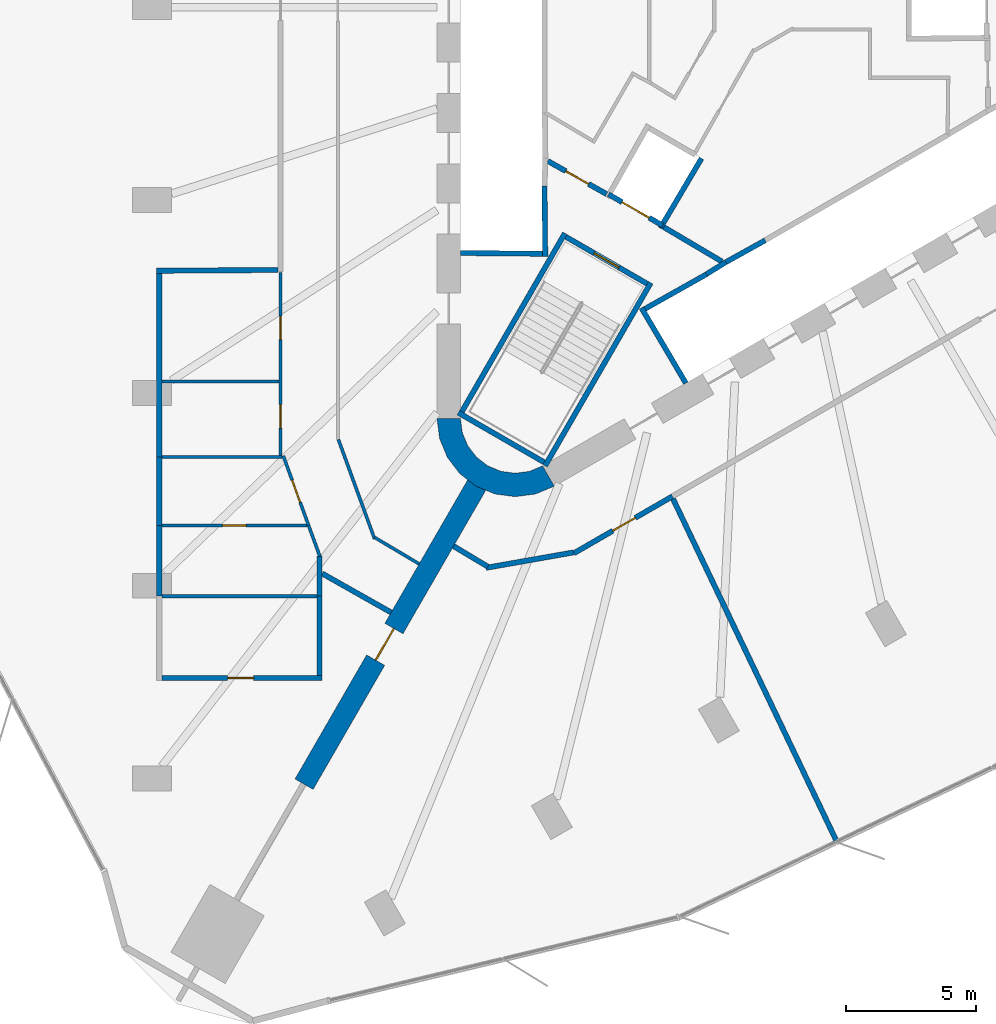
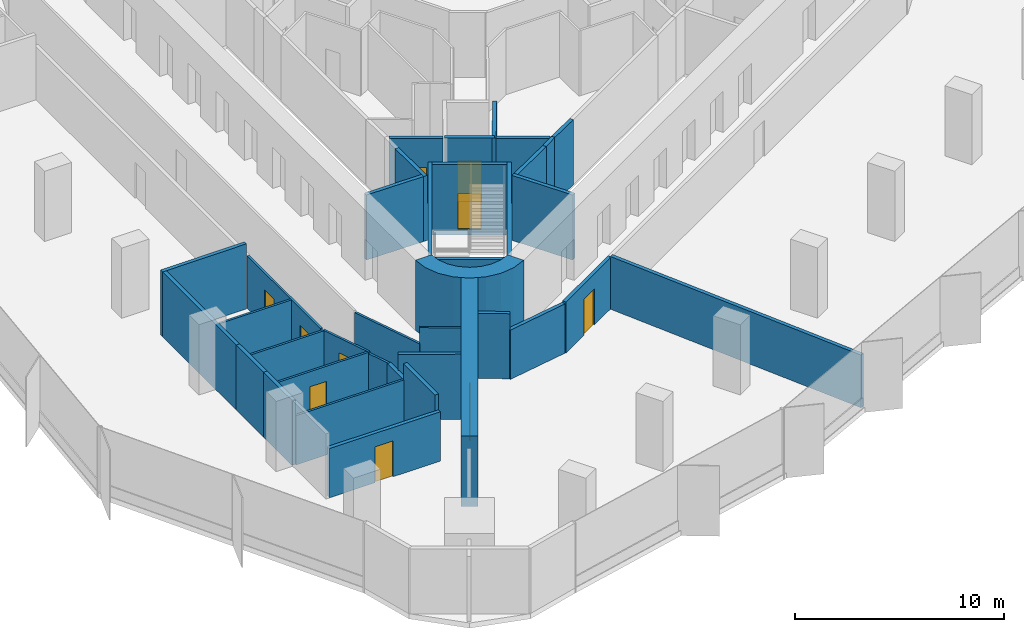
# One storey, part 9 of 15: 37 walls, 10 doors, 10 openings.
"""IFC4 building model written with IfcOpenShell, lengths in metres."""

import ifcopenshell
import ifcopenshell.guid

model = None  # the IFC model being written
_history = None  # IfcOwnerHistory: only IFC2X3 demands one
_inside = {}  # id of a spatial element -> (the spatial element, [elements in it])
_under = {}  # id of a project, library or spatial element -> (it, [spatial elements below it])
_declared = {}  # id of a project -> (the project, [libraries it declares])
_typed = {}  # id of a type object -> (the type object, [elements of that type])
_made_of = {}  # id of a material, layer set ... -> (it, [elements and type objects made of it])


def new_model(schema):
    """Start an empty IFC model of exactly this schema.

    Asked for "IFC4X3", IfcOpenShell would pick the latest addendum, in which some entities
    have other attributes; the version numbers below select the first issue.
    IFC2X3 requires an IfcOwnerHistory on every rooted entity: one is made here for all.
    """
    global model, _history
    if schema == "IFC4X3":
        model = ifcopenshell.file(schema_version=(4, 3, 0, 0))
    else:
        model = ifcopenshell.file(schema=schema)
    _inside.clear()
    _under.clear()
    _declared.clear()
    _typed.clear()
    _made_of.clear()
    _history = None
    if model.schema == "IFC2X3":
        org = make("IfcOrganization", Name="unknown")
        user = make(
            "IfcPersonAndOrganization",
            ThePerson=make("IfcPerson", FamilyName="unknown"),
            TheOrganization=org,
        )
        app = make(
            "IfcApplication",
            ApplicationDeveloper=org,
            Version="unknown",
            ApplicationFullName="unknown",
            ApplicationIdentifier="unknown",
        )
        _history = make(
            "IfcOwnerHistory",
            OwningUser=user,
            OwningApplication=app,
            ChangeAction="ADDED",
            CreationDate=0,
        )
    return model


def make(cls, **values):
    """One entity of the class cls with the attributes given. An attribute that is None is left unset."""
    return model.create_entity(
        cls, **{name: value for name, value in values.items() if value is not None}
    )


def rooted(cls, **values):
    """An entity with a GlobalId (a new one), such as an element, a storey or a relation."""
    return make(cls, GlobalId=ifcopenshell.guid.new(), OwnerHistory=_history, **values)


def si_unit(unit_type, name, prefix=None):
    """IfcSIUnit, for example si_unit("LENGTHUNIT", "METRE", prefix="MILLI")."""
    return make("IfcSIUnit", UnitType=unit_type, Prefix=prefix, Name=name)


def assignment(units):
    """IfcUnitAssignment: the units of a project."""
    return None if units is None else make("IfcUnitAssignment", Units=units)


def point(xyz):
    """IfcCartesianPoint."""
    return None if xyz is None else make("IfcCartesianPoint", Coordinates=xyz)


def direction(xyz):
    """IfcDirection."""
    return None if xyz is None else make("IfcDirection", DirectionRatios=xyz)


def frame(location, z_axis=None, x_axis=None):
    """IfcAxis2Placement3D, a coordinate frame: its origin and axes. An axis left out is left unset."""
    return make(
        "IfcAxis2Placement3D",
        Location=point(location),
        Axis=direction(z_axis),
        RefDirection=direction(x_axis),
    )


def frame_2d(location, x_axis=None):
    """IfcAxis2Placement2D, a coordinate frame in the plane: its origin and x axis."""
    return make(
        "IfcAxis2Placement2D", Location=point(location), RefDirection=direction(x_axis)
    )


def origin():
    """The frame at (0, 0, 0) with its axes left unset."""
    return frame((0.0, 0.0, 0.0))


def place(relative_to, where):
    """IfcLocalPlacement: puts the frame where relative to a parent placement (None: the world)."""
    return make(
        "IfcLocalPlacement", PlacementRelTo=relative_to, RelativePlacement=where
    )


def context(
    kind, dimensions, precision=None, world=None, true_north=None, identifier=None
):
    """IfcGeometricRepresentationContext, for example the 3D "Model" context."""
    return make(
        "IfcGeometricRepresentationContext",
        ContextIdentifier=identifier,
        ContextType=kind,
        CoordinateSpaceDimension=dimensions,
        Precision=precision,
        WorldCoordinateSystem=world,
        TrueNorth=true_north,
    )


def subcontext(parent, identifier, kind, view, scale=None):
    """IfcGeometricRepresentationSubContext, for example "Body" below "Model"."""
    return make(
        "IfcGeometricRepresentationSubContext",
        ContextIdentifier=identifier,
        ContextType=kind,
        ParentContext=parent,
        TargetScale=scale,
        TargetView=view,
    )


def project(units=None, contexts=None):
    """IfcProject with its units and contexts."""
    return rooted(
        "IfcProject",
        Name="project",
        RepresentationContexts=contexts,
        UnitsInContext=assignment(units),
    )


def spatial(cls, under=None, at=None, **own):
    """A site, building, storey or space (cls), placed at a placement, below another one or the project."""
    s = rooted(cls, ObjectPlacement=at, **own)
    if under is not None:
        _under.setdefault(under.id(), (under, []))[1].append(s)
    return s


def polyline(points):
    """IfcPolyline through the points."""
    return make("IfcPolyline", Points=[point(p) for p in points])


def profile(cls, at=None, kind="AREA", **sizes):
    """A parametric profile (cls). Its sizes go by their IFC names, for example OverallWidth=200.0."""
    return make(cls, ProfileType=kind, Position=at, **sizes)


def rectangle(**sizes):
    """IfcRectangleProfileDef."""
    return profile("IfcRectangleProfileDef", **sizes)


def outline(outer, holes=None, kind="AREA"):
    """IfcArbitraryClosedProfileDef: a profile drawn as a closed curve; with holes, ...WithVoids."""
    if holes is None:
        return make("IfcArbitraryClosedProfileDef", ProfileType=kind, OuterCurve=outer)
    return make(
        "IfcArbitraryProfileDefWithVoids",
        ProfileType=kind,
        OuterCurve=outer,
        InnerCurves=holes,
    )


def extrude(swept, where, along, depth):
    """IfcExtrudedAreaSolid: the profile swept, set in the frame where, extruded along a direction by depth."""
    return make(
        "IfcExtrudedAreaSolid",
        SweptArea=swept,
        Position=where,
        ExtrudedDirection=direction(along),
        Depth=depth,
    )


def shape(context_of_items, identifier, shape_type, items):
    """IfcShapeRepresentation: the items that make up one representation, for example the "Body"."""
    return make(
        "IfcShapeRepresentation",
        ContextOfItems=context_of_items,
        RepresentationIdentifier=identifier,
        RepresentationType=shape_type,
        Items=items,
    )


def material(Name=None, Category=None):
    """IfcMaterial."""
    return make("IfcMaterial", Name=Name, Category=Category)


def layer(
    of_material, thickness, ventilated=None, Name=None, Category=None, Priority=None
):
    """IfcMaterialLayer: one layer of a wall or slab, of a material (None: an air gap)."""
    return make(
        "IfcMaterialLayer",
        Material=of_material,
        LayerThickness=thickness,
        IsVentilated=ventilated,
        Name=Name,
        Category=Category,
        Priority=Priority,
    )


def layer_set(layers, Name=None):
    """IfcMaterialLayerSet."""
    return make("IfcMaterialLayerSet", MaterialLayers=layers, LayerSetName=Name)


def made_of(thing, what):
    """Note that an element or type object is made of a material, layer set ...; save() writes the relation."""
    if what is not None:
        _made_of.setdefault(what.id(), (what, []))[1].append(thing)
    return thing


def type_object(cls, material=None, **own):
    """A type object (cls), such as IfcWallType, which elements share."""
    return made_of(rooted(cls, **own), material)


def element(
    cls,
    number,
    at=None,
    inside=None,
    cuts=None,
    type_object=None,
    material=None,
    context=None,
    identifier="Body",
    shape_type=None,
    held_by="IfcProductDefinitionShape",
    body=None,
    shapes=None,
    **own,
):
    """One element of the class cls, such as IfcWall. Its Tag is "e" and its number.

    at: its placement. inside: the storey or other place that contains it. cuts: it is an
    opening in that element (IfcRelVoidsElement). A single representation is given by context,
    identifier, shape_type and body (its items); several are given by shapes. held_by: the class
    of the entity that holds the representations. save() writes the other relations.
    """
    e = rooted(cls, Tag="e%d" % number, ObjectPlacement=at, **own)
    if body is not None:
        shapes = [shape(context, identifier, shape_type, body)]
    if shapes is not None:
        e.Representation = make(held_by, Representations=shapes)
    if inside is not None:
        _inside.setdefault(inside.id(), (inside, []))[1].append(e)
    if cuts is not None:
        rooted(
            "IfcRelVoidsElement", RelatingBuildingElement=cuts, RelatedOpeningElement=e
        )
    if type_object is not None:
        _typed.setdefault(type_object.id(), (type_object, []))[1].append(e)
    return made_of(e, material)


def fill(opening, filler):
    """IfcRelFillsElement: the door or window that sits in an opening."""
    return rooted(
        "IfcRelFillsElement",
        RelatingOpeningElement=opening,
        RelatedBuildingElement=filler,
    )


def aggregate(whole, parts):
    """IfcRelAggregates: a whole, such as a stair, and the parts it consists of."""
    return rooted("IfcRelAggregates", RelatingObject=whole, RelatedObjects=parts)


def save(model, path):
    """Write the relations noted so far, then the file.

    IfcRelAggregates (storeys below a building ...), IfcRelContainedInSpatialStructure (elements
    in a storey), IfcRelDefinesByType, IfcRelAssociatesMaterial and IfcRelDeclares: one each for
    every whole, place, type object, material and project.
    """
    for whole, parts in _under.values():
        aggregate(whole, parts)
    for where, things in _inside.values():
        rooted(
            "IfcRelContainedInSpatialStructure",
            RelatedElements=things,
            RelatingStructure=where,
        )
    for kind, things in _typed.values():
        rooted("IfcRelDefinesByType", RelatedObjects=things, RelatingType=kind)
    for what, things in _made_of.values():
        rooted("IfcRelAssociatesMaterial", RelatedObjects=things, RelatingMaterial=what)
    for by, libraries in _declared.values():
        rooted("IfcRelDeclares", RelatingContext=by, RelatedDefinitions=libraries)
    model.write(path)


model = new_model("IFC4")

# Units and contexts
model_context = context("Model", 3, precision=1e-05, world=origin(), true_north=direction((0.0, 1.0)))
body_context = subcontext(model_context, "Body", "Model", "MODEL_VIEW")
ifc_project = project(units=[si_unit("LENGTHUNIT", "METRE"), si_unit("AREAUNIT", "SQUARE_METRE"), si_unit("VOLUMEUNIT", "CUBIC_METRE"), si_unit("PLANEANGLEUNIT", "RADIAN"), si_unit("MASSUNIT", "GRAM", prefix="KILO")], contexts=[model_context])

# Site, building, storey
site_placement = place(None, origin())
site = spatial("IfcSite", under=ifc_project, at=site_placement, CompositionType="ELEMENT")
building_placement = place(site_placement, origin())
building = spatial("IfcBuilding", under=site, at=building_placement, Name="Tanit Gate Tower", CompositionType="ELEMENT")
storey_placement = place(building_placement, frame((0.0, 0.0, 102.89990234375)))
storey = spatial("IfcBuildingStorey", under=building, at=storey_placement, Name="L21", CompositionType="ELEMENT", Elevation=102.89990234375)

# Wall, opening, door
ifc_material_1 = material(Name="Concrete C60/75", Category="concrete")
ifc_layer_1 = layer(ifc_material_1, 0.800048828125)
ifc_layer_set_1 = layer_set([ifc_layer_1], Name="BUTTRESS FIN 800 C60/75")
wall_type_1 = type_object("IfcWallType", Name="BUTTRESS FIN 800 C60/75", PredefinedType="SHEAR", material=ifc_layer_set_1)
wall_1_placement = place(storey_placement, frame((-10.574951171875, -18.31640625, 0.0), z_axis=(0.0, 0.0, 1.0), x_axis=(-0.500006018292, -0.866021929094, 0.0)))
wall_1 = element("IfcWall", 1, at=wall_1_placement, inside=storey, type_object=wall_type_1, Name="BUTTRESS FIN", PredefinedType="SHEAR", context=body_context, shape_type="SweptSolid", body=[
    extrude(rectangle(XDim=13.240966796875, YDim=0.800048828125, at=frame_2d((6.62060546875, 0.0))), origin(), (0.0, 0.0, 1.0), 4.10009765625),
])
opening_1_placement = place(wall_1_placement, frame((6.35009765625, 0.0, 0.0)))
opening_1 = element("IfcOpeningElement", 2, at=opening_1_placement, cuts=wall_1, Name="Opening P14-S04-F-SW-1", PredefinedType="OPENING", context=body_context, shape_type="SweptSolid", body=[
    extrude(rectangle(XDim=1.39990234375, YDim=2.39990234375, at=frame_2d((0.699951171875, 1.199951171875))), frame((0.0, 0.41015625, 0.0), z_axis=(0.0, -1.0, 0.0), x_axis=(1.0, 0.0, 0.0)), (0.0, 0.0, 1.0), 0.820068359375),
])
ifc_material_2 = material(Name="Timber door leaf", Category="wood")
door_type_1 = type_object("IfcDoorType", Name="INT-DOOR-FIN-PAIR-1400", OperationType="NOTDEFINED", PredefinedType="NOTDEFINED", material=ifc_material_2)
door_1_placement = place(opening_1_placement, origin())
door_1 = element("IfcDoor", 3, at=door_1_placement, inside=storey, type_object=door_type_1, Name="Door P14-S04-F-SW-1", OperationType="DOUBLE_DOOR_SINGLE_SWING", OverallHeight=2.39990234375, OverallWidth=1.39990234375, PredefinedType="NOTDEFINED", context=body_context, shape_type="SweptSolid", body=[
    extrude(rectangle(XDim=1.39990234375, YDim=2.39990234375, at=frame_2d((0.699951171875, 1.199951171875))), frame((0.0, 0.02490234375, 0.0), z_axis=(0.0, -1.0, 0.0), x_axis=(1.0, 0.0, 0.0)), (0.0, 0.0, 1.0), 0.050048828125),
])
fill(opening_1, door_1)

# Walls
ifc_material_3 = material(Name="Concrete C60/75", Category="concrete")
ifc_layer_2 = layer(ifc_material_3, 0.89990234375)
ifc_layer_set_2 = layer_set([ifc_layer_2], Name="CORE WALL 900 C60/75")
wall_type_2 = type_object("IfcWallType", Name="CORE WALL 900 C60/75", PredefinedType="SHEAR", material=ifc_layer_set_2)
wall_2_placement = place(storey_placement, origin())
element("IfcWall", 4, at=wall_2_placement, inside=storey, type_object=wall_type_2, Name="CORE WALL CORNER", PredefinedType="SHEAR", context=body_context, shape_type="SweptSolid", body=[
    extrude(outline(polyline([(-12.10009765625, -15.76171875), (-11.997802734375, -16.5380859375), (-11.697998046875, -17.26171875), (-11.22119140625, -17.883056640625), (-10.60009765625, -18.359619140625), (-9.87646484375, -18.659423828125), (-9.10009765625, -18.76171875), (-8.323486328125, -18.659423828125), (-7.60009765625, -18.359619140625), (-8.050048828125, -17.580322265625), (-8.556396484375, -17.7900390625), (-9.10009765625, -17.86181640625), (-9.6435546875, -17.7900390625), (-10.14990234375, -17.580322265625), (-10.5849609375, -17.24658203125), (-10.918701171875, -16.811767578125), (-11.12841796875, -16.30517578125), (-11.199951171875, -15.76171875), (-12.10009765625, -15.76171875)])), origin(), (0.0, 0.0, 1.0), 4.10009765625),
])
ifc_material_4 = material(Name="Fire-rated gypsum board partition")
ifc_layer_3 = layer(ifc_material_4, 0.199951171875)
ifc_layer_set_3 = layer_set([ifc_layer_3], Name="INT-WALL-COMPARTMENT")
wall_type_3 = type_object("IfcWallType", Name="INT-WALL-COMPARTMENT", PredefinedType="PARTITIONING", material=ifc_layer_set_3)
wall_3_placement = place(storey_placement, frame((-3.400634765625, -8.43017578125, 0.0), z_axis=(0.0, 0.0, 1.0), x_axis=(0.860615607571, -0.509255118781, 0.0)))
element("IfcWall", 5, at=wall_3_placement, inside=storey, type_object=wall_type_3, Name="Wall Compartment W063", PredefinedType="PARTITIONING", context=body_context, shape_type="SweptSolid", body=[
    extrude(rectangle(XDim=2.58056640625, YDim=0.199951171875, at=frame_2d((1.290283203125, 0.0))), origin(), (0.0, 0.0, 1.0), 3.800048828125),
])

# Wall, opening, door
wall_4_placement = place(storey_placement, frame((-7.849365234375, -5.893798828125, 0.0), z_axis=(0.0, 0.0, 1.0), x_axis=(0.871363259478, -0.490638431059, 0.0)))
wall_4 = element("IfcWall", 6, at=wall_4_placement, inside=storey, type_object=wall_type_3, Name="Wall Compartment W064", PredefinedType="PARTITIONING", context=body_context, shape_type="SweptSolid", body=[
    extrude(rectangle(XDim=2.5810546875, YDim=0.199951171875, at=frame_2d((1.29052734375, 0.0))), origin(), (0.0, 0.0, 1.0), 3.800048828125),
])
opening_2_placement = place(wall_4_placement, frame((0.79052734375, 0.0, 0.0)))
opening_2 = element("IfcOpeningElement", 7, at=opening_2_placement, cuts=wall_4, Name="Opening F10-S04-08", PredefinedType="OPENING", context=body_context, shape_type="SweptSolid", body=[
    extrude(rectangle(XDim=1.0, YDim=2.10009765625, at=frame_2d((0.5, 1.050048828125))), frame((0.0, 0.10986328125, 0.0), z_axis=(0.0, -1.0, 0.0), x_axis=(1.0, 0.0, 0.0)), (0.0, 0.0, 1.0), 0.219970703125),
])
ifc_material_5 = material(Name="Fire-rated steel door leaf", Category="steel")
door_type_2 = type_object("IfcDoorType", Name="INT-DOOR-FIRE-1000", OperationType="NOTDEFINED", PredefinedType="USERDEFINED", material=ifc_material_5)
door_2_placement = place(opening_2_placement, origin())
door_2 = element("IfcDoor", 8, at=door_2_placement, inside=storey, type_object=door_type_2, Name="Door F10-S04-08", ObjectType="FIRE DOOR", OperationType="SINGLE_SWING_LEFT", OverallHeight=2.10009765625, OverallWidth=1.0, PredefinedType="USERDEFINED", context=body_context, shape_type="SweptSolid", body=[
    extrude(rectangle(XDim=1.0, YDim=2.10009765625, at=frame_2d((0.5, 1.050048828125))), frame((0.0, 0.02490234375, 0.0), z_axis=(0.0, -1.0, 0.0), x_axis=(1.0, 0.0, 0.0)), (0.0, 0.0, 1.0), 0.050048828125),
])
fill(opening_2, door_2)

# Wall
wall_5_placement = place(storey_placement, frame((-16.5, -21.706298828125, 0.0), z_axis=(0.0, 0.0, 1.0), x_axis=(0.870637705421, -0.491924776668, 0.0)))
element("IfcWall", 9, at=wall_5_placement, inside=storey, type_object=wall_type_3, Name="Wall Compartment W092", PredefinedType="PARTITIONING", context=body_context, shape_type="SweptSolid", body=[
    extrude(rectangle(XDim=3.036376953125, YDim=0.199951171875, at=frame_2d((1.51806640625, 0.0))), origin(), (0.0, 0.0, 1.0), 3.800048828125),
])

# Wall, opening, door
wall_6_placement = place(storey_placement, frame((-6.852294921875, -20.930419921875, 0.0), z_axis=(0.0, 0.0, 1.0), x_axis=(0.865997465245, 0.500048387848, 0.0)))
wall_6 = element("IfcWall", 10, at=wall_6_placement, inside=storey, type_object=wall_type_3, Name="Wall Compartment W113", PredefinedType="PARTITIONING", context=body_context, shape_type="SweptSolid", body=[
    extrude(rectangle(XDim=4.36572265625, YDim=0.199951171875, at=frame_2d((2.182861328125, 0.0))), origin(), (0.0, 0.0, 1.0), 2.97998046875),
])
opening_3_placement = place(wall_6_placement, frame((1.720947265625, 0.0, 0.0)))
opening_3 = element("IfcOpeningElement", 11, at=opening_3_placement, cuts=wall_6, Name="Opening F10-S04-30", PredefinedType="OPENING", context=body_context, shape_type="SweptSolid", body=[
    extrude(rectangle(XDim=1.0, YDim=2.10009765625, at=frame_2d((0.5, 1.050048828125))), frame((0.0, 0.10986328125, 0.0), z_axis=(0.0, -1.0, 0.0), x_axis=(1.0, 0.0, 0.0)), (0.0, 0.0, 1.0), 0.219970703125),
])
door_3_placement = place(opening_3_placement, origin())
door_3 = element("IfcDoor", 12, at=door_3_placement, inside=storey, type_object=door_type_2, Name="Door F10-S04-30", ObjectType="FIRE DOOR", OperationType="SINGLE_SWING_RIGHT", OverallHeight=2.10009765625, OverallWidth=1.0, PredefinedType="USERDEFINED", context=body_context, shape_type="SweptSolid", body=[
    extrude(rectangle(XDim=1.0, YDim=2.10009765625, at=frame_2d((0.5, 1.050048828125))), frame((0.0, 0.02490234375, 0.0), z_axis=(0.0, -1.0, 0.0), x_axis=(1.0, 0.0, 0.0)), (0.0, 0.0, 1.0), 0.050048828125),
])
fill(opening_3, door_3)

# Walls
wall_7_placement = place(storey_placement, frame((-10.22021484375, -21.489501953125, 0.0), z_axis=(0.0, 0.0, 1.0), x_axis=(0.984805188344, 0.173662721995, 0.0)))
element("IfcWall", 13, at=wall_7_placement, inside=storey, type_object=wall_type_3, Name="Wall Compartment W114", PredefinedType="PARTITIONING", context=body_context, shape_type="SweptSolid", body=[
    extrude(rectangle(XDim=3.40771484375, YDim=0.199951171875, at=frame_2d((1.703857421875, 0.0))), origin(), (0.0, 0.0, 1.0), 2.880126953125),
])
wall_8_placement = place(storey_placement, frame((-11.46484375, -20.657470703125, 0.0), z_axis=(0.0, 0.0, 1.0), x_axis=(0.858376755127, -0.513019830276, 0.0)))
element("IfcWall", 14, at=wall_8_placement, inside=storey, type_object=wall_type_3, Name="Wall Compartment W115", PredefinedType="PARTITIONING", context=body_context, shape_type="SweptSolid", body=[
    extrude(rectangle(XDim=1.533203125, YDim=0.199951171875, at=frame_2d((0.7666015625, 0.0))), origin(), (0.0, 0.0, 1.0), 3.800048828125),
])
wall_9_placement = place(storey_placement, frame((-16.60009765625, -25.612548828125, 0.0), z_axis=(0.0, 0.0, 1.0), x_axis=(0.0, 1.0, 0.0)))
element("IfcWall", 15, at=wall_9_placement, inside=storey, type_object=wall_type_3, Name="Wall Compartment W135", PredefinedType="PARTITIONING", context=body_context, shape_type="SweptSolid", body=[
    extrude(rectangle(XDim=3.03515625, YDim=0.199951171875, at=frame_2d((1.517578125, 0.0))), origin(), (0.0, 0.0, 1.0), 3.800048828125),
])
wall_10_placement = place(storey_placement, frame((-16.60009765625, -22.577392578125, 0.0), z_axis=(0.0, 0.0, 1.0), x_axis=(0.0, 1.0, 0.0)))
element("IfcWall", 16, at=wall_10_placement, inside=storey, type_object=wall_type_3, Name="Wall Compartment W132", PredefinedType="PARTITIONING", context=body_context, shape_type="SweptSolid", body=[
    extrude(rectangle(XDim=1.541748046875, YDim=0.199951171875, at=frame_2d((0.77099609375, 0.0))), origin(), (0.0, 0.0, 1.0), 2.880126953125),
])
wall_11_placement = place(storey_placement, frame((-22.85009765625, -10.1005859375, 0.0), z_axis=(0.0, 0.0, 1.0), x_axis=(0.999979149644, 0.00645757523, 0.0)))
element("IfcWall", 17, at=wall_11_placement, inside=storey, type_object=wall_type_3, Name="Wall Compartment W127", PredefinedType="PARTITIONING", context=body_context, shape_type="SweptSolid", body=[
    extrude(rectangle(XDim=4.650146484375, YDim=0.199951171875, at=frame_2d((2.3251953125, 0.0))), origin(), (0.0, 0.0, 1.0), 3.800048828125),
])
wall_12_placement = place(storey_placement, frame((-22.75, -22.577392578125, 0.0), z_axis=(0.0, 0.0, 1.0), x_axis=(0.0, 1.0, 0.0)))
element("IfcWall", 18, at=wall_12_placement, inside=storey, type_object=wall_type_3, Name="Wall Compartment W131", PredefinedType="PARTITIONING", context=body_context, shape_type="SweptSolid", body=[
    extrude(rectangle(XDim=2.716552734375, YDim=0.199951171875, at=frame_2d((1.3583984375, 0.0))), origin(), (0.0, 0.0, 1.0), 3.800048828125),
])
wall_13_placement = place(storey_placement, frame((-22.75, -17.235107421875, 0.0), z_axis=(0.0, 0.0, 1.0), x_axis=(0.0, 1.0, 0.0)))
element("IfcWall", 19, at=wall_13_placement, inside=storey, type_object=wall_type_3, Name="Wall Compartment W129", PredefinedType="PARTITIONING", context=body_context, shape_type="SweptSolid", body=[
    extrude(rectangle(XDim=7.03515625, YDim=0.199951171875, at=frame_2d((3.517578125, 0.0))), origin(), (0.0, 0.0, 1.0), 3.800048828125),
])
wall_14_placement = place(storey_placement, frame((-22.75, -19.86083984375, 0.0), z_axis=(0.0, 0.0, 1.0), x_axis=(0.0, 1.0, 0.0)))
element("IfcWall", 20, at=wall_14_placement, inside=storey, type_object=wall_type_3, Name="Wall Compartment W130", PredefinedType="PARTITIONING", context=body_context, shape_type="SweptSolid", body=[
    extrude(rectangle(XDim=2.625732421875, YDim=0.199951171875, at=frame_2d((1.31298828125, 0.0))), origin(), (0.0, 0.0, 1.0), 3.800048828125),
])

# Wall, opening, door
wall_15_placement = place(storey_placement, frame((-22.64990234375, -25.71240234375, 0.0), z_axis=(0.0, 0.0, 1.0), x_axis=(1.0, 0.0, 0.0)))
wall_15 = element("IfcWall", 21, at=wall_15_placement, inside=storey, type_object=wall_type_3, Name="Wall Compartment W134", PredefinedType="PARTITIONING", context=body_context, shape_type="SweptSolid", body=[
    extrude(rectangle(XDim=6.14990234375, YDim=0.199951171875, at=frame_2d((3.074951171875, 0.0))), origin(), (0.0, 0.0, 1.0), 2.880126953125),
])
opening_4_placement = place(wall_15_placement, frame((2.52490234375, 0.0, 0.0)))
opening_4 = element("IfcOpeningElement", 22, at=opening_4_placement, cuts=wall_15, Name="Opening F10-S04-24", PredefinedType="OPENING", context=body_context, shape_type="SweptSolid", body=[
    extrude(rectangle(XDim=1.0, YDim=2.10009765625, at=frame_2d((0.5, 1.050048828125))), frame((0.0, 0.10986328125, 0.0), z_axis=(0.0, -1.0, 0.0), x_axis=(1.0, 0.0, 0.0)), (0.0, 0.0, 1.0), 0.219970703125),
])
door_4_placement = place(opening_4_placement, origin())
door_4 = element("IfcDoor", 23, at=door_4_placement, inside=storey, type_object=door_type_2, Name="Door F10-S04-24", ObjectType="FIRE DOOR", OperationType="SINGLE_SWING_RIGHT", OverallHeight=2.10009765625, OverallWidth=1.0, PredefinedType="USERDEFINED", context=body_context, shape_type="SweptSolid", body=[
    extrude(rectangle(XDim=1.0, YDim=2.10009765625, at=frame_2d((0.5, 1.050048828125))), frame((0.0, 0.02490234375, 0.0), z_axis=(0.0, -1.0, 0.0), x_axis=(1.0, 0.0, 0.0)), (0.0, 0.0, 1.0), 0.050048828125),
])
fill(opening_4, door_4)

# Walls
wall_16_placement = place(storey_placement, frame((-3.049072265625, -18.849853515625, 0.0), z_axis=(0.0, 0.0, 1.0), x_axis=(0.431079326347, -0.902314033137, 0.0)))
element("IfcWall", 24, at=wall_16_placement, inside=storey, type_object=wall_type_3, Name="Wall Compartment W140", PredefinedType="PARTITIONING", context=body_context, shape_type="SweptSolid", body=[
    extrude(rectangle(XDim=14.561279296875, YDim=0.199951171875, at=frame_2d((7.28076171875, 0.0))), origin(), (0.0, 0.0, 1.0), 3.080078125),
])
ifc_material_6 = material(Name="Gypsum board partition")
ifc_layer_4 = layer(ifc_material_6, 0.1201171875)
ifc_layer_set_4 = layer_set([ifc_layer_4], Name="INT-WALL-PARTITION")
wall_type_4 = type_object("IfcWallType", Name="INT-WALL-PARTITION", PredefinedType="PARTITIONING", material=ifc_layer_set_4)
wall_17_placement = place(storey_placement, frame((-15.87939453125, -16.5673828125, 0.0), z_axis=(0.0, 0.0, 1.0), x_axis=(0.341999322503, -0.939700198685, 0.0)))
element("IfcWall", 25, at=wall_17_placement, inside=storey, type_object=wall_type_4, Name="Wall Partition W089", PredefinedType="PARTITIONING", context=body_context, shape_type="SweptSolid", body=[
    extrude(rectangle(XDim=4.053955078125, YDim=0.1201171875, at=frame_2d((2.02685546875, 0.0))), origin(), (0.0, 0.0, 1.0), 2.880126953125),
])
wall_18_placement = place(storey_placement, frame((-14.494140625, -20.322021484375, 0.0), z_axis=(0.0, 0.0, 1.0), x_axis=(0.859745408261, -0.510722853389, 0.0)))
element("IfcWall", 26, at=wall_18_placement, inside=storey, type_object=wall_type_4, Name="Wall Partition W090", PredefinedType="PARTITIONING", context=body_context, shape_type="SweptSolid", body=[
    extrude(rectangle(XDim=1.991455078125, YDim=0.1201171875, at=frame_2d((0.99560546875, 0.0))), origin(), (0.0, 0.0, 1.0), 3.800048828125),
])

# Wall, openings, doors
wall_19_placement = place(storey_placement, frame((-18.10009765625, -10.169921875, 0.0), z_axis=(0.0, 0.0, 1.0), x_axis=(0.0, -1.0, 0.0)))
wall_19 = element("IfcWall", 27, at=wall_19_placement, inside=storey, type_object=wall_type_4, Name="Wall Partition W099", PredefinedType="PARTITIONING", context=body_context, shape_type="SweptSolid", body=[
    extrude(rectangle(XDim=7.00537109375, YDim=0.1201171875, at=frame_2d((3.502685546875, 0.0))), origin(), (0.0, 0.0, 1.0), 3.080078125),
])
opening_5_placement = place(wall_19_placement, frame((1.670654296875, 0.0, 0.0)))
opening_5 = element("IfcOpeningElement", 28, at=opening_5_placement, cuts=wall_19, Name="Opening D09-S04-20", PredefinedType="OPENING", context=body_context, shape_type="SweptSolid", body=[
    extrude(rectangle(XDim=0.89990234375, YDim=2.10009765625, at=frame_2d((0.449951171875, 1.050048828125))), frame((0.0, 0.070068359375, 0.0), z_axis=(0.0, -1.0, 0.0), x_axis=(1.0, 0.0, 0.0)), (0.0, 0.0, 1.0), 0.14013671875),
])
opening_6_placement = place(wall_19_placement, frame((5.065185546875, 0.0, 0.0)))
opening_6 = element("IfcOpeningElement", 29, at=opening_6_placement, cuts=wall_19, Name="Opening D09-S04-21", PredefinedType="OPENING", context=body_context, shape_type="SweptSolid", body=[
    extrude(rectangle(XDim=0.89990234375, YDim=2.10009765625, at=frame_2d((0.449951171875, 1.050048828125))), frame((0.0, 0.070068359375, 0.0), z_axis=(0.0, -1.0, 0.0), x_axis=(1.0, 0.0, 0.0)), (0.0, 0.0, 1.0), 0.14013671875),
])
ifc_material_7 = material(Name="Timber door leaf", Category="wood")
door_type_3 = type_object("IfcDoorType", Name="INT-DOOR-SINGLE-900", OperationType="NOTDEFINED", PredefinedType="NOTDEFINED", material=ifc_material_7)
door_5_placement = place(opening_5_placement, origin())
door_5 = element("IfcDoor", 30, at=door_5_placement, inside=storey, type_object=door_type_3, Name="Door D09-S04-20", OperationType="SINGLE_SWING_LEFT", OverallHeight=2.10009765625, OverallWidth=0.89990234375, PredefinedType="NOTDEFINED", context=body_context, shape_type="SweptSolid", body=[
    extrude(rectangle(XDim=0.89990234375, YDim=2.10009765625, at=frame_2d((0.449951171875, 1.050048828125))), frame((0.0, 0.02490234375, 0.0), z_axis=(0.0, -1.0, 0.0), x_axis=(1.0, 0.0, 0.0)), (0.0, 0.0, 1.0), 0.050048828125),
])
fill(opening_5, door_5)
door_6_placement = place(opening_6_placement, origin())
door_6 = element("IfcDoor", 31, at=door_6_placement, inside=storey, type_object=door_type_3, Name="Door D09-S04-21", OperationType="SINGLE_SWING_LEFT", OverallHeight=2.10009765625, OverallWidth=0.89990234375, PredefinedType="NOTDEFINED", context=body_context, shape_type="SweptSolid", body=[
    extrude(rectangle(XDim=0.89990234375, YDim=2.10009765625, at=frame_2d((0.449951171875, 1.050048828125))), frame((0.0, 0.02490234375, 0.0), z_axis=(0.0, -1.0, 0.0), x_axis=(1.0, 0.0, 0.0)), (0.0, 0.0, 1.0), 0.050048828125),
])
fill(opening_6, door_6)

# Wall, opening, door
wall_20_placement = place(storey_placement, frame((-17.991943359375, -17.19580078125, 0.0), z_axis=(0.0, 0.0, 1.0), x_axis=(0.341997880797, -0.939700723385, 0.0)))
wall_20 = element("IfcWall", 32, at=wall_20_placement, inside=storey, type_object=wall_type_4, Name="Wall Partition W101", PredefinedType="PARTITIONING", context=body_context, shape_type="SweptSolid", body=[
    extrude(rectangle(XDim=2.84619140625, YDim=0.1201171875, at=frame_2d((1.423095703125, 0.0))), origin(), (0.0, 0.0, 1.0), 2.97998046875),
])
opening_7_placement = place(wall_20_placement, frame((0.994140625, 0.0, 0.0)))
opening_7 = element("IfcOpeningElement", 33, at=opening_7_placement, cuts=wall_20, Name="Opening D09-S04-22", PredefinedType="OPENING", context=body_context, shape_type="SweptSolid", body=[
    extrude(rectangle(XDim=0.89990234375, YDim=2.10009765625, at=frame_2d((0.449951171875, 1.050048828125))), frame((0.0, 0.070068359375, 0.0), z_axis=(0.0, -1.0, 0.0), x_axis=(1.0, 0.0, 0.0)), (0.0, 0.0, 1.0), 0.14013671875),
])
door_7_placement = place(opening_7_placement, origin())
door_7 = element("IfcDoor", 34, at=door_7_placement, inside=storey, type_object=door_type_3, Name="Door D09-S04-22", OperationType="SINGLE_SWING_RIGHT", OverallHeight=2.10009765625, OverallWidth=0.89990234375, PredefinedType="NOTDEFINED", context=body_context, shape_type="SweptSolid", body=[
    extrude(rectangle(XDim=0.89990234375, YDim=2.10009765625, at=frame_2d((0.449951171875, 1.050048828125))), frame((0.0, 0.02490234375, 0.0), z_axis=(0.0, -1.0, 0.0), x_axis=(1.0, 0.0, 0.0)), (0.0, 0.0, 1.0), 0.050048828125),
])
fill(opening_7, door_7)

# Walls
wall_21_placement = place(storey_placement, frame((-17.0185546875, -19.870361328125, 0.0), z_axis=(0.0, 0.0, 1.0), x_axis=(0.341976406316, -0.939708538603, 0.0)))
element("IfcWall", 35, at=wall_21_placement, inside=storey, type_object=wall_type_4, Name="Wall Partition W102", PredefinedType="PARTITIONING", context=body_context, shape_type="SweptSolid", body=[
    extrude(rectangle(XDim=1.260009765625, YDim=0.1201171875, at=frame_2d((0.6298828125, 0.0))), origin(), (0.0, 0.0, 1.0), 2.880126953125),
])
wall_22_placement = place(storey_placement, frame((-22.64990234375, -14.351318359375, 0.0), z_axis=(0.0, 0.0, 1.0), x_axis=(1.0, 0.0, 0.0)))
element("IfcWall", 36, at=wall_22_placement, inside=storey, type_object=wall_type_4, Name="Wall Partition W144", PredefinedType="PARTITIONING", context=body_context, shape_type="SweptSolid", body=[
    extrude(rectangle(XDim=4.489990234375, YDim=0.1201171875, at=frame_2d((2.2451171875, 0.0))), origin(), (0.0, 0.0, 1.0), 3.080078125),
])
wall_23_placement = place(storey_placement, frame((-18.04150390625, -17.235107421875, 0.0), z_axis=(0.0, 0.0, 1.0), x_axis=(-1.0, 0.0, 0.0)))
element("IfcWall", 37, at=wall_23_placement, inside=storey, type_object=wall_type_4, Name="Wall Partition W145", PredefinedType="PARTITIONING", context=body_context, shape_type="SweptSolid", body=[
    extrude(rectangle(XDim=4.6083984375, YDim=0.1201171875, at=frame_2d((2.30419921875, 0.0))), origin(), (0.0, 0.0, 1.0), 2.97998046875),
])

# Wall, opening, door
wall_24_placement = place(storey_placement, frame((-17.085693359375, -19.86083984375, 0.0), z_axis=(0.0, 0.0, 1.0), x_axis=(-1.0, 0.0, 0.0)))
wall_24 = element("IfcWall", 38, at=wall_24_placement, inside=storey, type_object=wall_type_4, Name="Wall Partition W146", PredefinedType="PARTITIONING", context=body_context, shape_type="SweptSolid", body=[
    extrude(rectangle(XDim=5.564208984375, YDim=0.1201171875, at=frame_2d((2.7822265625, 0.0))), origin(), (0.0, 0.0, 1.0), 2.97998046875),
])
opening_8_placement = place(wall_24_placement, frame((2.33203125, 0.0, 0.0)))
opening_8 = element("IfcOpeningElement", 39, at=opening_8_placement, cuts=wall_24, Name="Opening D09-S04-23", PredefinedType="OPENING", context=body_context, shape_type="SweptSolid", body=[
    extrude(rectangle(XDim=0.89990234375, YDim=2.10009765625, at=frame_2d((0.449951171875, 1.050048828125))), frame((0.0, 0.070068359375, 0.0), z_axis=(0.0, -1.0, 0.0), x_axis=(1.0, 0.0, 0.0)), (0.0, 0.0, 1.0), 0.14013671875),
])
door_8_placement = place(opening_8_placement, origin())
door_8 = element("IfcDoor", 40, at=door_8_placement, inside=storey, type_object=door_type_3, Name="Door D09-S04-23", OperationType="SINGLE_SWING_RIGHT", OverallHeight=2.10009765625, OverallWidth=0.89990234375, PredefinedType="NOTDEFINED", context=body_context, shape_type="SweptSolid", body=[
    extrude(rectangle(XDim=0.89990234375, YDim=2.10009765625, at=frame_2d((0.449951171875, 1.050048828125))), frame((0.0, 0.02490234375, 0.0), z_axis=(0.0, -1.0, 0.0), x_axis=(1.0, 0.0, 0.0)), (0.0, 0.0, 1.0), 0.050048828125),
])
fill(opening_8, door_8)

# Walls
wall_25_placement = place(storey_placement, frame((-16.699951171875, -22.577392578125, 0.0), z_axis=(0.0, 0.0, 1.0), x_axis=(-1.0, 0.0, 0.0)))
element("IfcWall", 41, at=wall_25_placement, inside=storey, type_object=wall_type_4, Name="Wall Partition W147", PredefinedType="PARTITIONING", context=body_context, shape_type="SweptSolid", body=[
    extrude(rectangle(XDim=5.949951171875, YDim=0.1201171875, at=frame_2d((2.97509765625, 0.0))), origin(), (0.0, 0.0, 1.0), 2.880126953125),
])
ifc_material_8 = material(Name="Gypsum shaft wall system")
ifc_layer_5 = layer(ifc_material_8, 0.199951171875)
ifc_layer_set_5 = layer_set([ifc_layer_5], Name="INT-WALL-SHAFT")
wall_type_5 = type_object("IfcWallType", Name="INT-WALL-SHAFT", PredefinedType="PLUMBINGWALL", material=ifc_layer_set_5)
wall_26_placement = place(storey_placement, frame((-7.97900390625, -6.85009765625, 0.0), z_axis=(0.0, 0.0, 1.0), x_axis=(0.011121475088, -0.999938154483, 0.0)))
element("IfcWall", 42, at=wall_26_placement, inside=storey, type_object=wall_type_5, Name="Wall Shaft W011", PredefinedType="PLUMBINGWALL", context=body_context, shape_type="SweptSolid", body=[
    extrude(rectangle(XDim=2.7001953125, YDim=0.199951171875, at=frame_2d((1.35009765625, 0.0))), origin(), (0.0, 0.0, 1.0), 3.800048828125),
])
wall_27_placement = place(storey_placement, frame((-8.050048828125, -9.448974609375, 0.0), z_axis=(0.0, 0.0, 1.0), x_axis=(-0.999957467379, 0.009222983926, 0.0)))
element("IfcWall", 43, at=wall_27_placement, inside=storey, type_object=wall_type_5, Name="Wall Shaft W012", PredefinedType="PLUMBINGWALL", context=body_context, shape_type="SweptSolid", body=[
    extrude(rectangle(XDim=3.150146484375, YDim=0.199951171875, at=frame_2d((1.5751953125, 0.0))), origin(), (0.0, 0.0, 1.0), 3.800048828125),
])
wall_28_placement = place(storey_placement, frame((-2.557861328125, -14.409423828125, 0.0), z_axis=(0.0, 0.0, 1.0), x_axis=(-0.507997497166, 0.861358544901, 0.0)))
element("IfcWall", 44, at=wall_28_placement, inside=storey, type_object=wall_type_5, Name="Wall Shaft W027", PredefinedType="PLUMBINGWALL", context=body_context, shape_type="SweptSolid", body=[
    extrude(rectangle(XDim=3.350341796875, YDim=0.199951171875, at=frame_2d((1.67529296875, 0.0))), origin(), (0.0, 0.0, 1.0), 3.800048828125),
])
wall_29_placement = place(storey_placement, frame((-1.7685546875, -10.23681640625, 0.0), z_axis=(0.0, 0.0, 1.0), x_axis=(-0.871534483978, -0.490334215854, 0.0)))
element("IfcWall", 45, at=wall_29_placement, inside=storey, type_object=wall_type_5, Name="Wall Shaft W028", PredefinedType="PLUMBINGWALL", context=body_context, shape_type="SweptSolid", body=[
    extrude(rectangle(XDim=2.7001953125, YDim=0.199951171875, at=frame_2d((1.35009765625, 0.0))), origin(), (0.0, 0.0, 1.0), 3.800048828125),
])
wall_30_placement = place(storey_placement, frame((-1.02392578125, -9.77099609375, 0.0), z_axis=(0.0, 0.0, 1.0), x_axis=(-0.850348075135, -0.526220629693, 0.0)))
element("IfcWall", 46, at=wall_30_placement, inside=storey, type_object=wall_type_5, Name="Wall Shaft W029", PredefinedType="PLUMBINGWALL", context=body_context, shape_type="SweptSolid", body=[
    extrude(rectangle(XDim=0.878173828125, YDim=0.199951171875, at=frame_2d((0.43896484375, 0.0))), origin(), (0.0, 0.0, 1.0), 3.800048828125),
])
wall_31_placement = place(storey_placement, frame((-1.130126953125, -9.831298828125, 0.0), z_axis=(0.0, 0.0, 1.0), x_axis=(0.874269620932, 0.485440655401, 0.0)))
element("IfcWall", 47, at=wall_31_placement, inside=storey, type_object=wall_type_5, Name="Wall Shaft W030", PredefinedType="PLUMBINGWALL", context=body_context, shape_type="SweptSolid", body=[
    extrude(rectangle(XDim=1.8447265625, YDim=0.199951171875, at=frame_2d((0.92236328125, 0.0))), origin(), (0.0, 0.0, 1.0), 3.800048828125),
])

# Wall, opening, door
wall_32_placement = place(storey_placement, frame((-3.44580078125, -8.3681640625, 0.0), z_axis=(0.0, 0.0, 1.0), x_axis=(-0.866024647952, 0.500001309137, 0.0)))
wall_32 = element("IfcWall", 48, at=wall_32_placement, inside=storey, type_object=wall_type_5, Name="Wall Shaft W053", PredefinedType="PLUMBINGWALL", context=body_context, shape_type="SweptSolid", body=[
    extrude(rectangle(XDim=2.39990234375, YDim=0.199951171875, at=frame_2d((1.199951171875, 0.0))), origin(), (0.0, 0.0, 1.0), 3.800048828125),
])
opening_9_placement = place(wall_32_placement, frame((0.60009765625, 0.0, 0.0)))
opening_9 = element("IfcOpeningElement", 49, at=opening_9_placement, cuts=wall_32, Name="Opening LDFL3-L21", PredefinedType="OPENING", context=body_context, shape_type="SweptSolid", body=[
    extrude(rectangle(XDim=1.199951171875, YDim=2.39990234375, at=frame_2d((0.60009765625, 1.199951171875))), frame((0.0, 0.10986328125, 0.0), z_axis=(0.0, -1.0, 0.0), x_axis=(1.0, 0.0, 0.0)), (0.0, 0.0, 1.0), 0.219970703125),
])
ifc_material_9 = material(Name="Stainless steel sliding door leaf", Category="steel")
door_type_4 = type_object("IfcDoorType", Name="INT-DOOR-LANDING-1200", OperationType="NOTDEFINED", PredefinedType="USERDEFINED", material=ifc_material_9)
door_9_placement = place(opening_9_placement, origin())
door_9 = element("IfcDoor", 50, at=door_9_placement, inside=storey, type_object=door_type_4, Name="Door LDFL3-L21", ObjectType="LANDING DOOR", OperationType="SLIDING_TO_LEFT", OverallHeight=2.39990234375, OverallWidth=1.199951171875, PredefinedType="USERDEFINED", context=body_context, shape_type="SweptSolid", body=[
    extrude(rectangle(XDim=1.199951171875, YDim=2.39990234375, at=frame_2d((0.60009765625, 1.199951171875))), frame((0.0, 0.02490234375, 0.0), z_axis=(0.0, -1.0, 0.0), x_axis=(1.0, 0.0, 0.0)), (0.0, 0.0, 1.0), 0.050048828125),
])
fill(opening_9, door_9)

# Walls
wall_33_placement = place(storey_placement, frame((-1.960693359375, -5.796142578125, 0.0), z_axis=(0.0, 0.0, 1.0), x_axis=(-0.508647062354, -0.860975125052, 0.0)))
element("IfcWall", 51, at=wall_33_placement, inside=storey, type_object=wall_type_5, Name="Wall Shaft W054", PredefinedType="PLUMBINGWALL", context=body_context, shape_type="SweptSolid", body=[
    extrude(rectangle(XDim=3.10009765625, YDim=0.199951171875, at=frame_2d((1.550048828125, 0.0))), origin(), (0.0, 0.0, 1.0), 3.800048828125),
])
ifc_material_10 = material(Name="Concrete C40/50", Category="concrete")
ifc_layer_6 = layer(ifc_material_10, 0.199951171875)
ifc_layer_set_6 = layer_set([ifc_layer_6], Name="INT-WALL-STAIR")
wall_type_6 = type_object("IfcWallType", Name="INT-WALL-STAIR", PredefinedType="SHEAR", material=ifc_layer_set_6)
wall_34_placement = place(storey_placement, frame((-3.904541015625, -10.56298828125, -0.2998046875), z_axis=(0.0, 0.0, 1.0), x_axis=(-0.500012932018, -0.866017937352, 0.0)))
element("IfcWall", 52, at=wall_34_placement, inside=storey, type_object=wall_type_6, Name="Wall Stair W049", PredefinedType="SHEAR", context=body_context, shape_type="SweptSolid", body=[
    extrude(rectangle(XDim=8.099853515625, YDim=0.199951171875, at=frame_2d((4.0498046875, 0.0))), origin(), (0.0, 0.0, 1.0), 4.099853515625),
])
wall_35_placement = place(storey_placement, frame((-11.281982421875, -15.541015625, -0.2998046875), z_axis=(0.0, 0.0, 1.0), x_axis=(0.866000483506, -0.500043160704, 0.0)))
element("IfcWall", 53, at=wall_35_placement, inside=storey, type_object=wall_type_6, Name="Wall Stair W050", PredefinedType="SHEAR", context=body_context, shape_type="SweptSolid", body=[
    extrude(rectangle(XDim=3.800048828125, YDim=0.199951171875, at=frame_2d((1.89990234375, 0.0))), origin(), (0.0, 0.0, 1.0), 4.099853515625),
])
wall_36_placement = place(storey_placement, frame((-7.195556640625, -8.662841796875, -0.2998046875), z_axis=(0.0, 0.0, 1.0), x_axis=(-0.499997992926, -0.866026562566, 0.0)))
element("IfcWall", 54, at=wall_36_placement, inside=storey, type_object=wall_type_6, Name="Wall Stair W051", PredefinedType="SHEAR", context=body_context, shape_type="SweptSolid", body=[
    extrude(rectangle(XDim=7.89990234375, YDim=0.199951171875, at=frame_2d((3.949951171875, 0.0))), origin(), (0.0, 0.0, 1.0), 4.099853515625),
])

# Wall, opening, door
wall_37_placement = place(storey_placement, frame((-4.041259765625, -10.599365234375, -0.2998046875), z_axis=(0.0, 0.0, 1.0), x_axis=(-0.866047807691, 0.499961193289, 0.0)))
wall_37 = element("IfcWall", 55, at=wall_37_placement, inside=storey, type_object=wall_type_6, Name="Wall Stair W052", PredefinedType="SHEAR", context=body_context, shape_type="SweptSolid", body=[
    extrude(rectangle(XDim=3.599853515625, YDim=0.199951171875, at=frame_2d((1.7998046875, 0.0))), origin(), (0.0, 0.0, 1.0), 4.099853515625),
])
opening_10_placement = place(wall_37_placement, frame((1.25, 0.0, 0.300048828125)))
opening_10 = element("IfcOpeningElement", 56, at=opening_10_placement, cuts=wall_37, Name="Opening S11-S04-07", PredefinedType="OPENING", context=body_context, shape_type="SweptSolid", body=[
    extrude(rectangle(XDim=1.10009765625, YDim=2.10009765625, at=frame_2d((0.550048828125, 1.050048828125))), frame((0.0, 0.10986328125, 0.0), z_axis=(0.0, -1.0, 0.0), x_axis=(1.0, 0.0, 0.0)), (0.0, 0.0, 1.0), 0.219970703125),
])
ifc_material_11 = material(Name="Timber door leaf", Category="wood")
door_type_5 = type_object("IfcDoorType", Name="INT-DOOR-STAIR-1100", OperationType="NOTDEFINED", PredefinedType="USERDEFINED", material=ifc_material_11)
door_10_placement = place(opening_10_placement, origin())
door_10 = element("IfcDoor", 57, at=door_10_placement, inside=storey, type_object=door_type_5, Name="Door S11-S04-07", ObjectType="FIRE DOOR", OperationType="SINGLE_SWING_LEFT", OverallHeight=2.10009765625, OverallWidth=1.10009765625, PredefinedType="USERDEFINED", context=body_context, shape_type="SweptSolid", body=[
    extrude(rectangle(XDim=1.10009765625, YDim=2.10009765625, at=frame_2d((0.550048828125, 1.050048828125))), frame((0.0, 0.02490234375, 0.0), z_axis=(0.0, -1.0, 0.0), x_axis=(1.0, 0.0, 0.0)), (0.0, 0.0, 1.0), 0.050048828125),
])
fill(opening_10, door_10)

save(model, "model.ifc")
